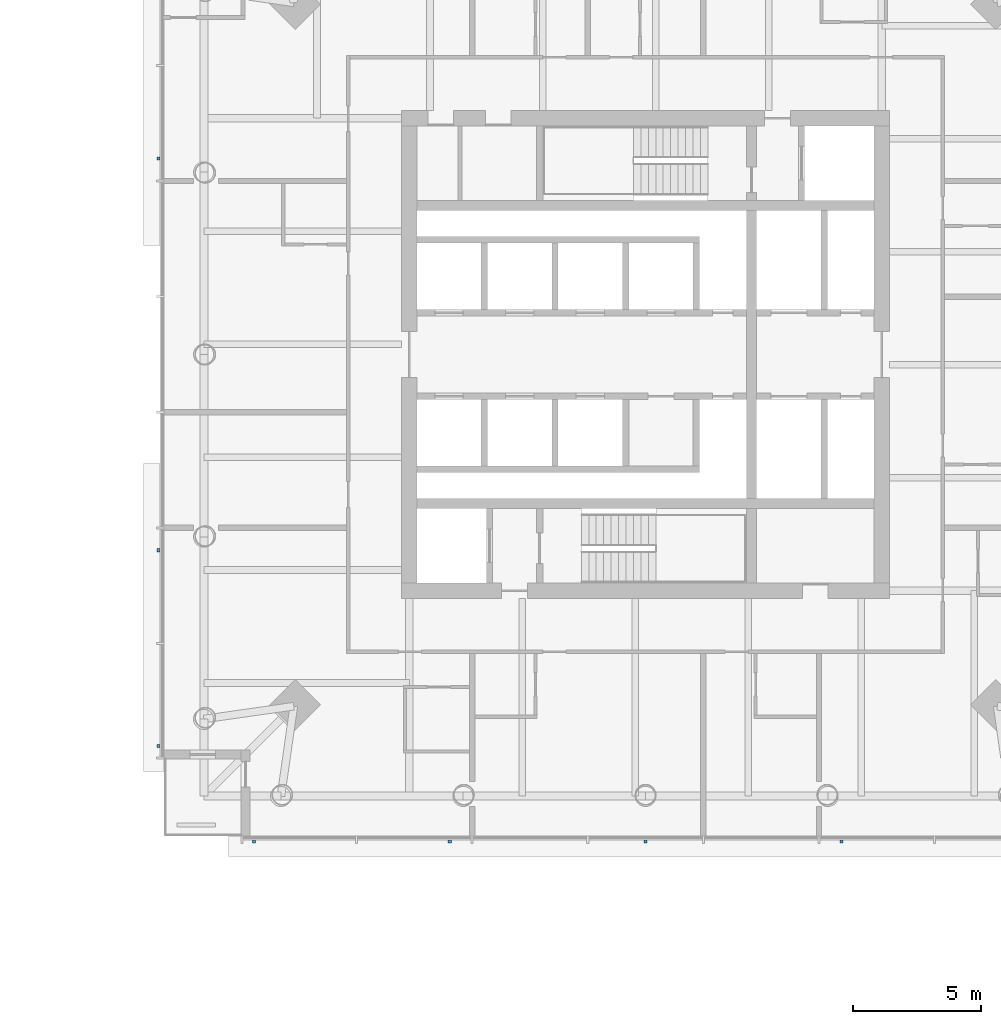
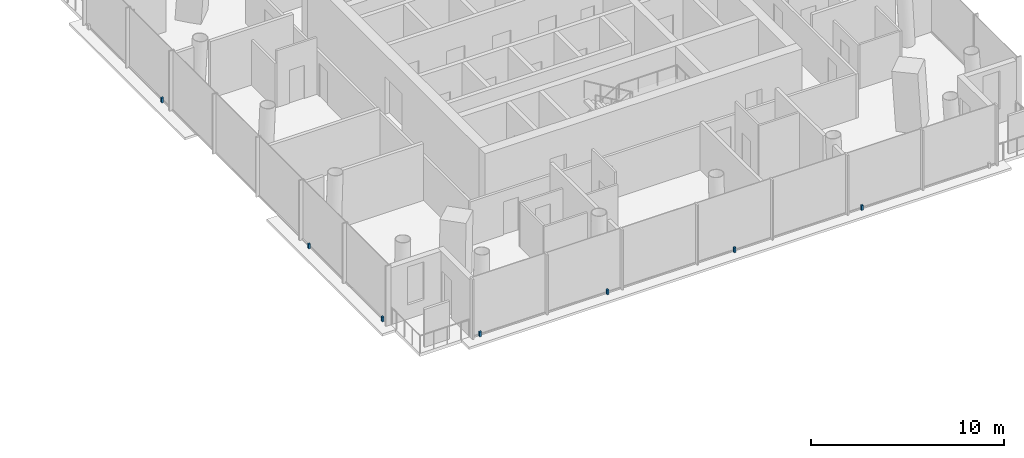
# One storey, part 18 of 22: 7 discrete accessories.
"""IFC4 building model written with IfcOpenShell, lengths in metres."""

from ifc_helpers import new_model, si_unit, direction, frame, origin, origin_2d, place, context, subcontext, project, spatial, rectangle, extrude, material, type_object, element, save


model = new_model("IFC4")

# Units and contexts
model_context = context("Model", 3, precision=1e-05, world=origin(), true_north=direction((0.0, 1.0)))
body_context = subcontext(model_context, "Body", "Model", "MODEL_VIEW")
ifc_project = project(units=[si_unit("LENGTHUNIT", "METRE"), si_unit("AREAUNIT", "SQUARE_METRE"), si_unit("VOLUMEUNIT", "CUBIC_METRE"), si_unit("PLANEANGLEUNIT", "RADIAN"), si_unit("MASSUNIT", "GRAM", prefix="KILO")], contexts=[model_context])

# Site, building, storey
site_placement = place(None, origin())
site = spatial("IfcSite", under=ifc_project, at=site_placement, CompositionType="ELEMENT")
building_placement = place(site_placement, origin())
building = spatial("IfcBuilding", under=site, at=building_placement, Name="Ostroluk Exchange", CompositionType="ELEMENT")
storey_placement = place(building_placement, frame((0.0, 0.0, 62.800048828125)))
storey = spatial("IfcBuildingStorey", under=building, at=storey_placement, Name="L15", CompositionType="ELEMENT", Elevation=62.800048828125)

# Discrete accessories
ifc_material = material(Name="Stainless steel", Category="steel")
discrete_accessory_type = type_object("IfcDiscreteAccessoryType", Name="Fall-arrest anchor PN-EN 795 type C", PredefinedType="USERDEFINED", material=ifc_material)
for number, where, z_axis, x_axis, name in (
    (1, (101.75, 27.0400390625, 0.0), (0.0, 0.0, 1.0), (1.0, 0.0, 0.0), "Fall-arrest anchor L15 south 1"),
    (2, (109.375, 27.0400390625, 0.0), (0.0, 0.0, 1.0), (1.0, 0.0, 0.0), "Fall-arrest anchor L15 south 2"),
    (3, (117.0, 27.0400390625, 0.0), (0.0, 0.0, 1.0), (1.0, 0.0, 0.0), "Fall-arrest anchor L15 south 3"),
    (4, (124.625, 27.0400390625, 0.0), (0.0, 0.0, 1.0), (1.0, 0.0, 0.0), "Fall-arrest anchor L15 south 4"),
    (5, (98.0400390625, 30.75, 0.0), (0.0, 0.0, 1.0), (1.0, 0.0, 0.0), "Fall-arrest anchor L15 west 1"),
    (6, (98.0400390625, 38.375, 0.0), (0.0, 0.0, 1.0), (1.0, 0.0, 0.0), "Fall-arrest anchor L15 west 2"),
    (7, (98.0400390625, 53.625, 0.0), (0.0, 0.0, 1.0), (1.0, 0.0, 0.0), "Fall-arrest anchor L15 west 4"),
):
    element("IfcDiscreteAccessory", number, at=place(storey_placement, frame(where, z_axis=z_axis, x_axis=x_axis)), inside=storey, type_object=discrete_accessory_type, Name=name, ObjectType="FALL ARREST ANCHOR", PredefinedType="USERDEFINED", context=body_context, shape_type="SweptSolid", body=[
        extrude(rectangle(XDim=0.1201171875, YDim=0.1201171875, at=origin_2d()), origin(), (0.0, 0.0, 1.0), 0.300048828125),
    ])

save(model, "model.ifc")
